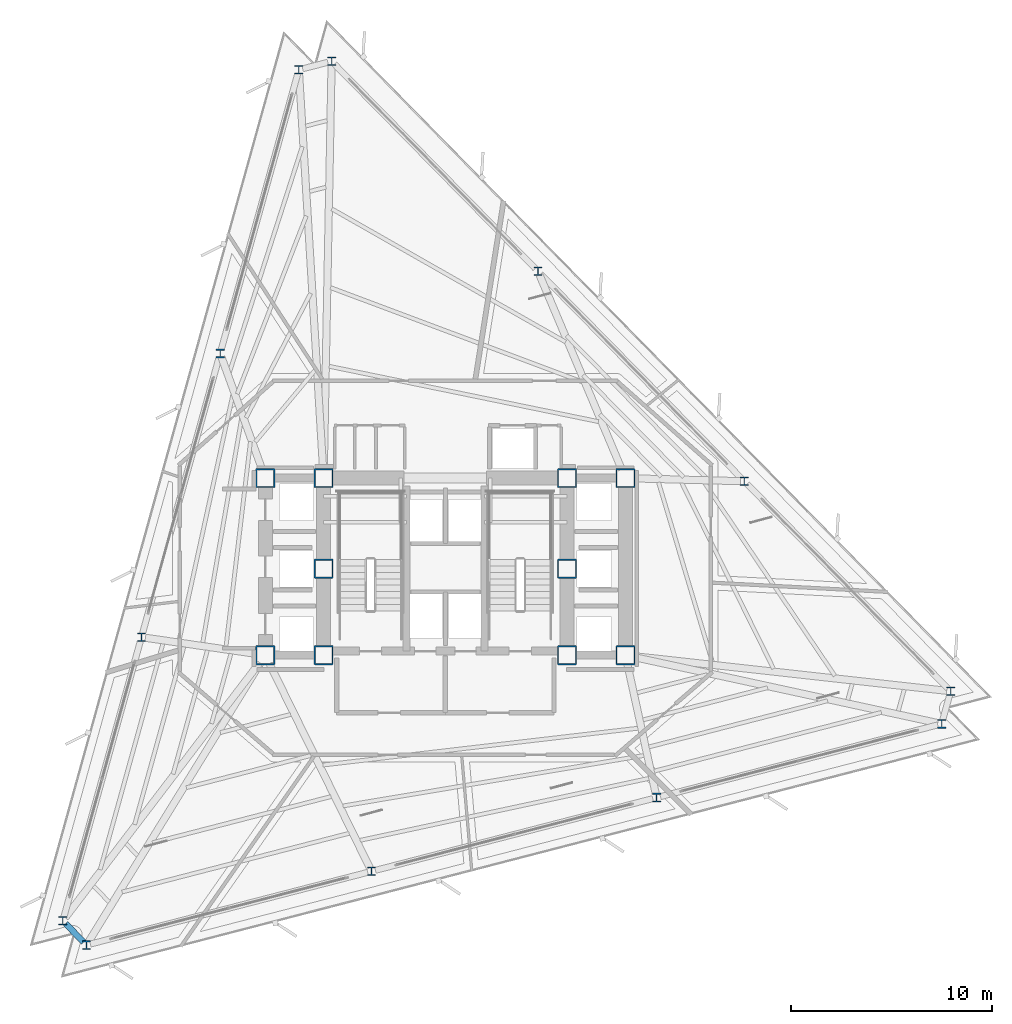
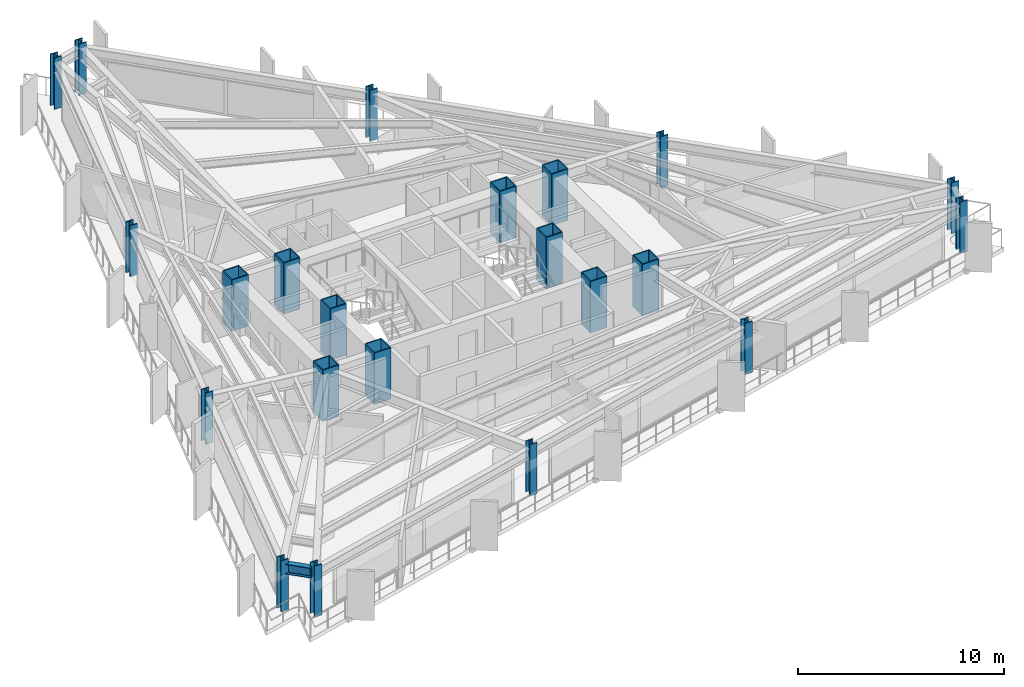
# One storey, part 1 of 11: 22 columns, 1 beam.
"""IFC4 building model written with IfcOpenShell, lengths in metres."""

from ifc_helpers import new_model, si_unit, direction, frame, origin, origin_2d, place, context, subcontext, project, spatial, hollow_rectangle, i_section, extrude, material, material_profile, profile_set, type_object, element, save


model = new_model("IFC4")

# Units and contexts
model_context = context("Model", 3, precision=1e-05, world=origin(), true_north=direction((0.0, 1.0)))
body_context = subcontext(model_context, "Body", "Model", "MODEL_VIEW")
ifc_project = project(units=[si_unit("LENGTHUNIT", "METRE"), si_unit("AREAUNIT", "SQUARE_METRE"), si_unit("VOLUMEUNIT", "CUBIC_METRE"), si_unit("PLANEANGLEUNIT", "RADIAN"), si_unit("MASSUNIT", "GRAM", prefix="KILO")], contexts=[model_context])

# Site, building, storey
site_placement = place(None, origin())
site = spatial("IfcSite", under=ifc_project, at=site_placement, CompositionType="ELEMENT")
building_placement = place(site_placement, origin())
building = spatial("IfcBuilding", under=site, at=building_placement, Name="Rocaltana Carrier Exchange", CompositionType="ELEMENT")
storey_placement = place(building_placement, frame((0.0, 0.0, 91.679931640625)))
storey = spatial("IfcBuildingStorey", under=building, at=storey_placement, Name="L28", CompositionType="ELEMENT", Elevation=91.679931640625)

# Columns
ifc_material_1 = material(Name="Steel S460", Category="steel")
ifc_material_profile_1 = material_profile(ifc_material_1, hollow_rectangle(XDim=0.949951171875, YDim=0.949951171875, WallThickness=0.06005859375, InnerFilletRadius=0.02001953125, OuterFilletRadius=0.0400390625, at=origin_2d()), Name="BOX950X950X60")
ifc_profile_set_1 = profile_set([ifc_material_profile_1], Name="Steel S460")
column_type_1 = type_object("IfcColumnType", Name="Core Mega-Column BOX950", PredefinedType="COLUMN", material=ifc_profile_set_1)
for number, where, z_axis, x_axis, name in (
    (1, (-6.050048828125, 4.5, 0.0), (0.0, 0.0, 1.0), (1.0, 0.0, 0.0), "L28 Core Mega-Column MC1"),
    (2, (6.050048828125, 4.5, 0.0), (0.0, 0.0, 1.0), (1.0, 0.0, 0.0), "L28 Core Mega-Column MC2"),
    (3, (-6.050048828125, 0.0, 0.0), (0.0, 0.0, 1.0), (1.0, 0.0, 0.0), "L28 Core Mega-Column MC3"),
    (4, (6.050048828125, 0.0, 0.0), (0.0, 0.0, 1.0), (1.0, 0.0, 0.0), "L28 Core Mega-Column MC4"),
    (5, (-6.050048828125, -4.300048828125, 0.0), (0.0, 0.0, 1.0), (1.0, 0.0, 0.0), "L28 Core Mega-Column MC5"),
    (6, (6.050048828125, -4.300048828125, 0.0), (0.0, 0.0, 1.0), (1.0, 0.0, 0.0), "L28 Core Mega-Column MC6"),
    (7, (-8.949951171875, 4.5, 0.0), (0.0, 0.0, 1.0), (1.0, 0.0, 0.0), "L28 West Core Column WC1"),
    (8, (-8.949951171875, -4.300048828125, 0.0), (0.0, 0.0, 1.0), (1.0, 0.0, 0.0), "L28 West Core Column WC2"),
    (9, (8.949951171875, 4.5, 0.0), (0.0, 0.0, 1.0), (1.0, 0.0, 0.0), "L28 East Core Column EC1"),
    (10, (8.949951171875, -4.300048828125, 0.0), (0.0, 0.0, 1.0), (1.0, 0.0, 0.0), "L28 East Core Column EC2"),
):
    element("IfcColumn", number, at=place(storey_placement, frame(where, z_axis=z_axis, x_axis=x_axis)), inside=storey, type_object=column_type_1, Name=name, PredefinedType="COLUMN", context=body_context, shape_type="SweptSolid", body=[
        extrude(hollow_rectangle(XDim=0.949951171875, YDim=0.949951171875, WallThickness=0.06005859375, InnerFilletRadius=0.02001953125, OuterFilletRadius=0.0400390625, at=origin_2d()), origin(), (0.0, 0.0, 1.0), 3.0400390625),
    ])
ifc_material_2 = material(Name="Steel S460", Category="steel")
ifc_material_profile_2 = material_profile(ifc_material_2, i_section(OverallWidth=0.412109375, OverallDepth=0.43505859375, WebThickness=0.035888671875, FlangeThickness=0.057373046875, FilletRadius=0.02197265625, at=origin_2d()), Name="W14X311")
ifc_profile_set_2 = profile_set([ifc_material_profile_2], Name="Steel S460")
column_type_2 = type_object("IfcColumnType", Name="Perimeter Column W14X311", PredefinedType="COLUMN", material=ifc_profile_set_2)
for number, where, z_axis, x_axis, name in (
    (11, (25.11767578125, -6.091552734375, 0.0), (0.0, 0.0, 1.0), (1.0, 0.0, 0.0), "L28 Perimeter Column TC01"),
    (12, (14.861083984375, 4.345703125, 0.0), (0.0, 0.0, 1.0), (1.0, 0.0, 0.0), "L28 Perimeter Column TC02"),
    (13, (4.6044921875, 14.782958984375, 0.0), (0.0, 0.0, 1.0), (1.0, 0.0, 0.0), "L28 Perimeter Column TC03"),
    (14, (-5.652099609375, 25.22021484375, 0.0), (0.0, 0.0, 1.0), (1.0, 0.0, 0.0), "L28 Perimeter Column TC04"),
    (15, (-7.283447265625, 24.79833984375, 0.0), (0.0, 0.0, 1.0), (1.0, 0.0, 0.0), "L28 Perimeter Column TC05"),
    (16, (-11.194091796875, 10.697265625, 0.0), (0.0, 0.0, 1.0), (1.0, 0.0, 0.0), "L28 Perimeter Column TC06"),
    (17, (-15.1044921875, -3.40380859375, 0.0), (0.0, 0.0, 1.0), (1.0, 0.0, 0.0), "L28 Perimeter Column TC07"),
    (18, (-19.01513671875, -17.505126953125, 0.0), (0.0, 0.0, 1.0), (1.0, 0.0, 0.0), "L28 Perimeter Column TC08"),
    (19, (-17.834228515625, -18.706787109375, 0.0), (0.0, 0.0, 1.0), (1.0, 0.0, 0.0), "L28 Perimeter Column TC09"),
    (20, (-3.6669921875, -15.04296875, 0.0), (0.0, 0.0, 1.0), (1.0, 0.0, 0.0), "L28 Perimeter Column TC10"),
    (21, (10.500244140625, -11.37890625, 0.0), (0.0, 0.0, 1.0), (1.0, 0.0, 0.0), "L28 Perimeter Column TC11"),
    (22, (24.66748046875, -7.715087890625, 0.0), (0.0, 0.0, 1.0), (1.0, 0.0, 0.0), "L28 Perimeter Column TC12"),
):
    element("IfcColumn", number, at=place(storey_placement, frame(where, z_axis=z_axis, x_axis=x_axis)), inside=storey, type_object=column_type_2, Name=name, PredefinedType="COLUMN", context=body_context, shape_type="SweptSolid", body=[
        extrude(i_section(OverallWidth=0.412109375, OverallDepth=0.43505859375, WebThickness=0.035888671875, FlangeThickness=0.057373046875, FilletRadius=0.02197265625, at=origin_2d()), origin(), (0.0, 0.0, 1.0), 3.0400390625),
    ])

# Beam
ifc_material_3 = material(Name="Steel S355", Category="steel")
ifc_material_profile_3 = material_profile(ifc_material_3, i_section(OverallWidth=0.300048828125, OverallDepth=0.60009765625, WebThickness=0.015380859375, FlangeThickness=0.030029296875, FilletRadius=0.027099609375, at=origin_2d()), Name="HEB600")
ifc_profile_set_3 = profile_set([ifc_material_profile_3], Name="Steel S355")
beam_type = type_object("IfcBeamType", Name="Spandrel Edge Beam HEB600", PredefinedType="SPANDREL", material=ifc_profile_set_3)
beam_placement = place(storey_placement, frame((-18.87646484375, -17.646240234375, 2.488037109375), z_axis=(0.700924882604, -0.713235100753, 0.0), x_axis=(0.713235100753, 0.700924882604, 0.0)))
element("IfcBeam", 23, at=beam_placement, inside=storey, type_object=beam_type, Name="SP-L28-08", PredefinedType="SPANDREL", context=body_context, shape_type="SweptSolid", body=[
    extrude(i_section(OverallWidth=0.300048828125, OverallDepth=0.60009765625, WebThickness=0.015380859375, FlangeThickness=0.030029296875, FilletRadius=0.027099609375, at=origin_2d()), origin(), (0.0, 0.0, 1.0), 1.2890625),
])

save(model, "model.ifc")
